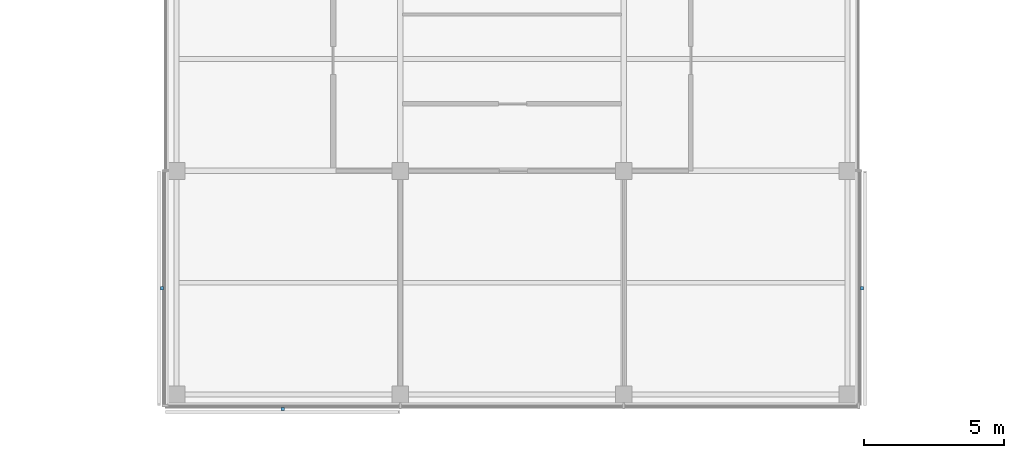
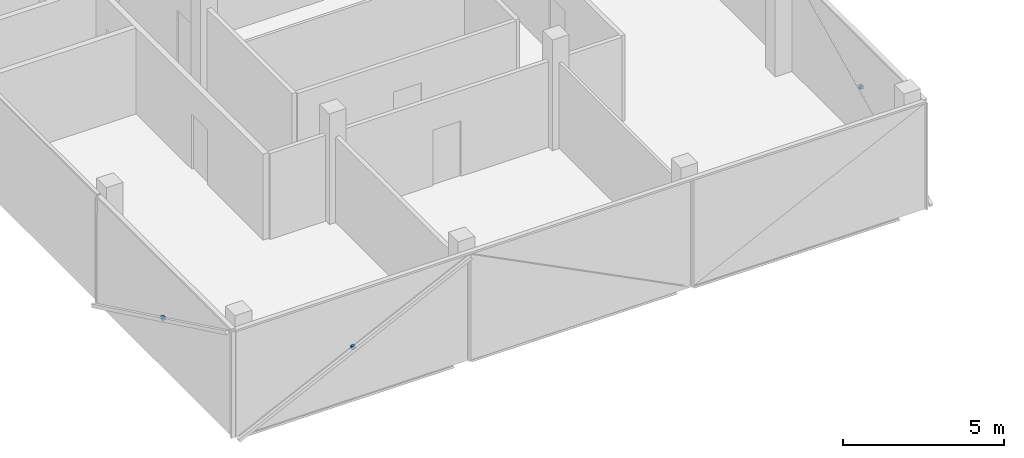
# One storey, part 14 of 16: 3 discrete accessories.
"""IFC4 building model written with IfcOpenShell, lengths in metres."""

from ifc_helpers import new_model, si_unit, direction, frame, origin, origin_2d, place, context, subcontext, project, spatial, rectangle, extrude, material, type_object, element, save


model = new_model("IFC4")

# Units and contexts
model_context = context("Model", 3, precision=1e-05, world=origin(), true_north=direction((0.0, 1.0)))
body_context = subcontext(model_context, "Body", "Model", "MODEL_VIEW")
ifc_project = project(units=[si_unit("LENGTHUNIT", "METRE"), si_unit("AREAUNIT", "SQUARE_METRE"), si_unit("VOLUMEUNIT", "CUBIC_METRE"), si_unit("PLANEANGLEUNIT", "RADIAN"), si_unit("MASSUNIT", "GRAM", prefix="KILO")], contexts=[model_context])

# Site, building, storey
site_placement = place(None, origin())
site = spatial("IfcSite", under=ifc_project, at=site_placement, CompositionType="ELEMENT")
building_placement = place(site_placement, origin())
building = spatial("IfcBuilding", under=site, at=building_placement, Name="Crosswind Convention Tower", CompositionType="ELEMENT")
storey_placement = place(building_placement, frame((0.0, 0.0, 299.699951171875)))
storey = spatial("IfcBuildingStorey", under=building, at=storey_placement, Name="L65", CompositionType="ELEMENT", Elevation=299.699951171875)

# Discrete accessories
ifc_material = material(Name="Stainless steel", Category="steel")
discrete_accessory_type = type_object("IfcDiscreteAccessoryType", Name="BAGUETTE BRACKET BK3", PredefinedType="BRACKET", material=ifc_material)
for number, where, z_axis, x_axis, name in (
    (1, (112.47412109375, 75.794921875, 1.655029296875), (0.0, 0.0, 1.0), (0.0, -1.0, 0.0), "BK3 baguette bracket"),
    (2, (116.794921875, 71.47412109375, 1.655029296875), (0.0, 0.0, 1.0), (1.0, 0.0, 0.0), "BK3 baguette bracket"),
    (3, (137.52587890625, 75.794921875, 1.655029296875), (0.0, 0.0, 1.0), (0.0, 1.0, 0.0), "BK3 baguette bracket"),
):
    element("IfcDiscreteAccessory", number, at=place(storey_placement, frame(where, z_axis=z_axis, x_axis=x_axis)), inside=storey, type_object=discrete_accessory_type, Name=name, PredefinedType="BRACKET", context=body_context, shape_type="SweptSolid", body=[
        extrude(rectangle(XDim=0.1201171875, YDim=0.10009765625, at=origin_2d()), origin(), (0.0, 0.0, 1.0), 0.1201171875),
    ])

save(model, "model.ifc")
